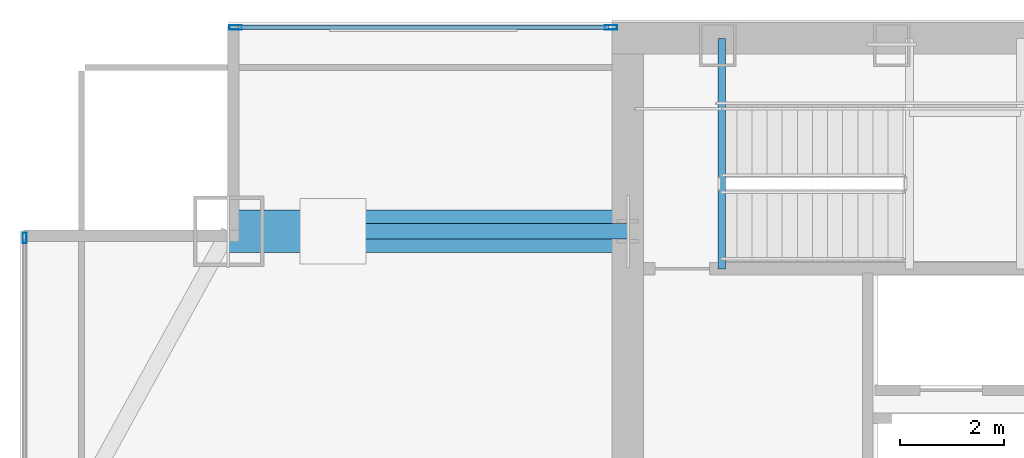
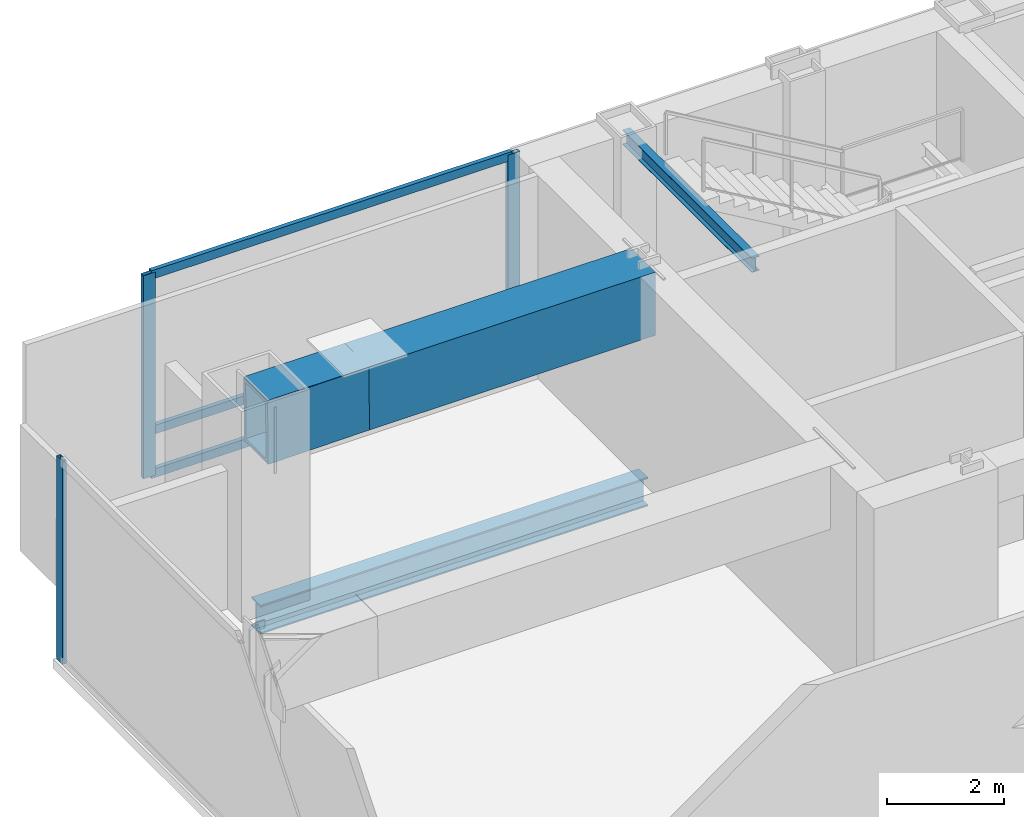
# One storey, part 17 of 25: 6 members, 4 beams, 2 elements without a shape of their own.
"""IFC4 building model written with IfcOpenShell, lengths in metres."""

from ifc_helpers import new_model, si_unit, direction, frame, origin, origin_2d, place, context, subcontext, project, spatial, hollow_rectangle, i_section, extrude, material, material_profile, profile_set, type_object, element, aggregate, save


model = new_model("IFC4")

# Units and contexts
model_context = context("Model", 3, precision=1e-05, world=origin(), true_north=direction((0.0, 1.0)))
body_context = subcontext(model_context, "Body", "Model", "MODEL_VIEW")
ifc_project = project(units=[si_unit("LENGTHUNIT", "METRE"), si_unit("AREAUNIT", "SQUARE_METRE"), si_unit("VOLUMEUNIT", "CUBIC_METRE"), si_unit("PLANEANGLEUNIT", "RADIAN"), si_unit("MASSUNIT", "GRAM", prefix="KILO")], contexts=[model_context])

# Site, building, storey
site_placement = place(None, origin())
site = spatial("IfcSite", under=ifc_project, at=site_placement, CompositionType="ELEMENT")
building_placement = place(site_placement, origin())
building = spatial("IfcBuilding", under=site, at=building_placement, Name="Khoronbel Lancet Exchange", CompositionType="ELEMENT")
storey_placement = place(building_placement, frame((0.0, 0.0, 184.199951171875)))
storey = spatial("IfcBuildingStorey", under=building, at=storey_placement, Name="L46", CompositionType="ELEMENT", Elevation=184.199951171875)

# Beams
ifc_material_1 = material(Name="Steel S355", Category="steel")
ifc_material_profile_1 = material_profile(ifc_material_1, i_section(OverallWidth=0.14990234375, OverallDepth=0.300048828125, WebThickness=0.007080078125, FlangeThickness=0.0107421875, at=origin_2d()), Name="IPE 300")
ifc_profile_set_1 = profile_set([ifc_material_profile_1], Name="Steel S355")
beam_type_1 = type_object("IfcBeamType", Name="BM-BJ8", PredefinedType="JOIST", material=ifc_profile_set_1)
beam_1_placement = place(storey_placement, frame((18.300048828125, 48.97998046875, 3.9599609375), z_axis=(0.0, 1.0, 0.0), x_axis=(-1.0, 0.0, 0.0)))
element("IfcBeam", 1, at=beam_1_placement, inside=storey, type_object=beam_type_1, Name="Level L46 stair ST1 upper-flight arrival trimmer beam", PredefinedType="JOIST", context=body_context, shape_type="SweptSolid", body=[
    extrude(i_section(OverallWidth=0.14990234375, OverallDepth=0.300048828125, WebThickness=0.007080078125, FlangeThickness=0.0107421875, at=origin_2d()), origin(), (0.0, 0.0, 1.0), 4.419921875),
])
ifc_material_profile_2 = material_profile(ifc_material_1, i_section(OverallWidth=0.300048828125, OverallDepth=0.60009765625, WebThickness=0.015380859375, FlangeThickness=0.030029296875, at=origin_2d()), Name="HEB 600")
ifc_profile_set_2 = profile_set([ifc_material_profile_2], Name="Steel S355")
beam_type_2 = type_object("IfcBeamType", Name="BM-BSP2", PredefinedType="SPANDREL", material=ifc_profile_set_2)
beam_2_placement = place(storey_placement, frame((8.85009765625, 49.699951171875, -0.5), z_axis=(1.0, 0.0, 0.0), x_axis=(0.0, 1.0, 0.0)))
element("IfcBeam", 2, at=beam_2_placement, inside=storey, type_object=beam_type_2, Name="Level L46 north flank tie spandrel SP22", PredefinedType="SPANDREL", context=body_context, shape_type="SweptSolid", body=[
    extrude(i_section(OverallWidth=0.300048828125, OverallDepth=0.60009765625, WebThickness=0.015380859375, FlangeThickness=0.030029296875, at=origin_2d()), origin(), (0.0, 0.0, 1.0), 7.64990234375),
])
ifc_material_2 = material(Name="Steel S460", Category="steel")
ifc_material_profile_3 = material_profile(ifc_material_2, hollow_rectangle(XDim=0.820068359375, YDim=1.320068359375, WallThickness=0.070068359375, at=origin_2d()), Name="BOX 820x1320x70")
ifc_profile_set_3 = profile_set([ifc_material_profile_3], Name="Steel S460")
beam_type_3 = type_object("IfcBeamType", Name="BM-TG4", PredefinedType="USERDEFINED", material=ifc_profile_set_3)
beam_3_placement = place(storey_placement, frame((8.85009765625, 49.699951171875, 3.56005859375), z_axis=(0.99994990606, 0.0, 0.010009264196), x_axis=(0.0, 1.0, 0.0)))
element("IfcBeam", 3, at=beam_3_placement, inside=storey, type_object=beam_type_3, Name="Setback transfer knee-brace girder L46-MC-NW", ObjectType="TRANSFER GIRDER", PredefinedType="USERDEFINED", context=body_context, shape_type="SweptSolid", body=[
    extrude(hollow_rectangle(XDim=0.820068359375, YDim=1.320068359375, WallThickness=0.070068359375, at=origin_2d()), origin(), (0.0, 0.0, 1.0), 2.0),
])
beam_4_placement = place(storey_placement, frame((8.85009765625, 49.699951171875, 3.580078125), z_axis=(1.0, 0.0, 0.0), x_axis=(0.0, 1.0, 0.0)))
element("IfcBeam", 4, at=beam_4_placement, inside=storey, type_object=beam_type_3, Name="Corner mega-column setback transfer girder L46-NW", ObjectType="TRANSFER GIRDER", PredefinedType="USERDEFINED", context=body_context, shape_type="SweptSolid", body=[
    extrude(hollow_rectangle(XDim=0.820068359375, YDim=1.320068359375, WallThickness=0.070068359375, at=origin_2d()), origin(), (0.0, 0.0, 1.0), 7.64990234375),
])

# Curtain wall, members
ifc_material_3 = material(Name="Low-E Solar Control Insulating Glass", Category="glass")
curtain_wall_type_1 = type_object("IfcCurtainWallType", Name="CW-3", PredefinedType="NOTDEFINED", material=ifc_material_3)
curtain_wall_1_placement = place(storey_placement, origin())
curtain_wall_1 = element("IfcCurtainWall", 5, at=curtain_wall_1_placement, inside=storey, type_object=curtain_wall_type_1, Name="Unitised curtain wall CW-L46-NWFLK", PredefinedType="NOTDEFINED")
ifc_material_4 = material(Name="Bronze-Anodised Aluminium 6063-T6", Category="aluminium")
ifc_material_profile_4 = material_profile(ifc_material_4, hollow_rectangle(XDim=0.0849609375, YDim=0.239990234375, WallThickness=0.006103515625, at=origin_2d()), Name="ALU MULLION 85x240")
ifc_profile_set_4 = profile_set([ifc_material_profile_4], Name="Bronze-Anodised Aluminium 6063-T6")
member_type_1 = type_object("IfcMemberType", Name="MEM-CWM1", PredefinedType="MULLION", material=ifc_profile_set_4)
member_1_placement = place(storey_placement, frame((16.177490234375, 53.610107421875, 0.0), z_axis=(0.0, 0.0, 1.0), x_axis=(0.0, -1.0, 0.0)))
member_1 = element("IfcMember", 6, at=member_1_placement, type_object=member_type_1, Name="CW3 mullion 1", PredefinedType="MULLION", context=body_context, shape_type="SweptSolid", body=[
    extrude(hollow_rectangle(XDim=0.0849609375, YDim=0.239990234375, WallThickness=0.006103515625, at=origin_2d()), origin(), (0.0, 0.0, 1.0), 4.239990234375),
])
member_2_placement = place(storey_placement, frame((8.982421875, 53.610107421875, 0.0), z_axis=(0.0, 0.0, 1.0), x_axis=(0.0, -1.0, 0.0)))
member_2 = element("IfcMember", 7, at=member_2_placement, type_object=member_type_1, Name="CW3 mullion 2", PredefinedType="MULLION", context=body_context, shape_type="SweptSolid", body=[
    extrude(hollow_rectangle(XDim=0.0849609375, YDim=0.239990234375, WallThickness=0.006103515625, at=origin_2d()), origin(), (0.0, 0.0, 1.0), 4.239990234375),
])

# Curtain wall, member
curtain_wall_type_2 = type_object("IfcCurtainWallType", Name="CW-4", PredefinedType="NOTDEFINED", material=ifc_material_3)
curtain_wall_2_placement = place(storey_placement, origin())
curtain_wall_2 = element("IfcCurtainWall", 8, at=curtain_wall_2_placement, inside=storey, type_object=curtain_wall_type_2, Name="Unitised curtain wall CW-L46-E03", PredefinedType="NOTDEFINED")
ifc_material_profile_5 = material_profile(ifc_material_4, hollow_rectangle(XDim=0.074951171875, YDim=0.199951171875, WallThickness=0.0048828125, at=origin_2d()), Name="ALU MULLION 75x200")
ifc_profile_set_5 = profile_set([ifc_material_profile_5], Name="Bronze-Anodised Aluminium 6063-T6")
member_type_2 = type_object("IfcMemberType", Name="MEM-CWM2", PredefinedType="MULLION", material=ifc_profile_set_5)
member_3_placement = place(storey_placement, frame((4.93994140625, 49.572509765625, 0.0), z_axis=(0.0, 0.0, 1.0), x_axis=(-1.0, 0.0, 0.0)))
member_3 = element("IfcMember", 9, at=member_3_placement, type_object=member_type_2, Name="CW4 mullion 3", PredefinedType="MULLION", context=body_context, shape_type="SweptSolid", body=[
    extrude(hollow_rectangle(XDim=0.074951171875, YDim=0.199951171875, WallThickness=0.0048828125, at=origin_2d()), origin(), (0.0, 0.0, 1.0), 4.239990234375),
])
aggregate(curtain_wall_2, [member_3])

# Member
ifc_material_profile_6 = material_profile(ifc_material_4, hollow_rectangle(XDim=0.0849609375, YDim=0.179931640625, WallThickness=0.0048828125, at=origin_2d()), Name="ALU TRANSOM 85x180")
ifc_profile_set_6 = profile_set([ifc_material_profile_6], Name="Bronze-Anodised Aluminium 6063-T6")
member_type_3 = type_object("IfcMemberType", Name="MEM-CWT1", PredefinedType="USERDEFINED", material=ifc_profile_set_6)
member_4_placement = place(storey_placement, frame((16.135009765625, 53.610107421875, 0.04248046875), z_axis=(-1.0, 0.0, 0.0), x_axis=(0.0, -1.0, 0.0)))
member_4 = element("IfcMember", 10, at=member_4_placement, type_object=member_type_3, Name="CW3 transom 1.1", ObjectType="TRANSOM", PredefinedType="USERDEFINED", context=body_context, shape_type="SweptSolid", body=[
    extrude(hollow_rectangle(XDim=0.0849609375, YDim=0.179931640625, WallThickness=0.0048828125, at=origin_2d()), origin(), (0.0, 0.0, 1.0), 7.110107421875),
])

member_5_placement = place(storey_placement, frame((16.135009765625, 53.610107421875, 0.949951171875), z_axis=(-1.0, 0.0, 0.0), x_axis=(0.0, -1.0, 0.0)))
member_5 = element("IfcMember", 11, at=member_5_placement, type_object=member_type_3, Name="CW3 transom 1.2", ObjectType="TRANSOM", PredefinedType="USERDEFINED", context=body_context, shape_type="SweptSolid", body=[
    extrude(hollow_rectangle(XDim=0.0849609375, YDim=0.179931640625, WallThickness=0.0048828125, at=origin_2d()), origin(), (0.0, 0.0, 1.0), 7.110107421875),
])

member_6_placement = place(storey_placement, frame((16.135009765625, 53.610107421875, 4.197509765625), z_axis=(-1.0, 0.0, 0.0), x_axis=(0.0, -1.0, 0.0)))
member_6 = element("IfcMember", 12, at=member_6_placement, type_object=member_type_3, Name="CW3 transom 1.3", ObjectType="TRANSOM", PredefinedType="USERDEFINED", context=body_context, shape_type="SweptSolid", body=[
    extrude(hollow_rectangle(XDim=0.0849609375, YDim=0.179931640625, WallThickness=0.0048828125, at=origin_2d()), origin(), (0.0, 0.0, 1.0), 7.110107421875),
])

aggregate(curtain_wall_1, [member_1, member_2, member_4, member_5, member_6])

save(model, "model.ifc")
